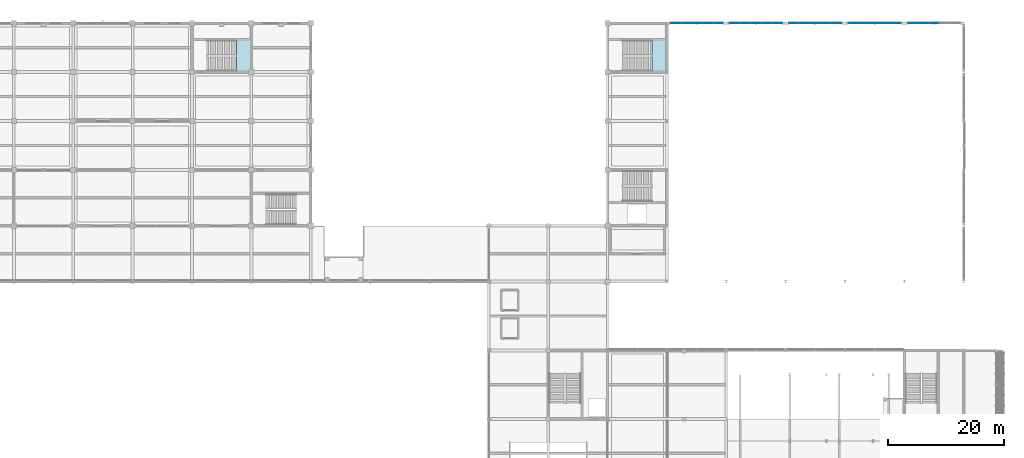
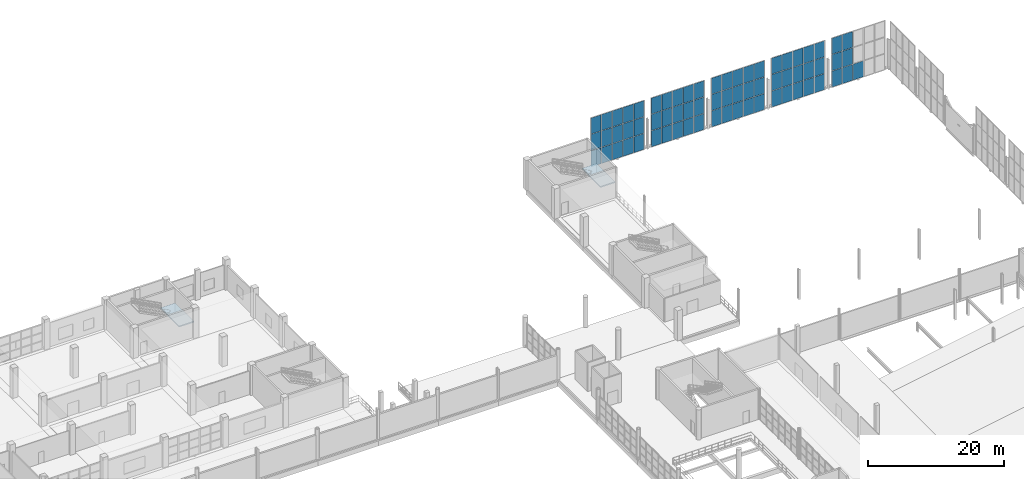
# One storey, part 122 of 175: 67 plates, 2 slabs, 7 elements without a shape of their own.
"""IFC4 building model written with IfcOpenShell, lengths in metres."""

from ifc_helpers import new_model, si_unit, direction, frame, origin, origin_2d, place, context, subcontext, project, spatial, polyline, rectangle, outline, extrude, material, layer, layer_set, type_object, element, aggregate, save


model = new_model("IFC4")

# Units and contexts
model_context = context("Model", 3, precision=1e-05, world=origin(), true_north=direction((0.0, 1.0)))
body_context = subcontext(model_context, "Body", "Model", "MODEL_VIEW")
ifc_project = project(units=[si_unit("LENGTHUNIT", "METRE"), si_unit("AREAUNIT", "SQUARE_METRE"), si_unit("VOLUMEUNIT", "CUBIC_METRE"), si_unit("PLANEANGLEUNIT", "RADIAN"), si_unit("MASSUNIT", "GRAM", prefix="KILO")], contexts=[model_context])

# Site, building, storey
site_placement = place(None, origin())
site = spatial("IfcSite", under=ifc_project, at=site_placement, CompositionType="ELEMENT")
building_placement = place(site_placement, origin())
building = spatial("IfcBuilding", under=site, at=building_placement, Name="Brelvane Convention Centre", CompositionType="ELEMENT")
storey_placement = place(building_placement, frame((0.0, 0.0, 5.39990234375)))
storey = spatial("IfcBuildingStorey", under=building, at=storey_placement, Name="L01", CompositionType="ELEMENT", Elevation=5.39990234375)

# Curtain wall, plates
ifc_material_1 = material(Name="Anodised Aluminium Alloy 6063-T6", Category="aluminium")
curtain_wall_type = type_object("IfcCurtainWallType", Name="Curtain Wall CW-BALL", PredefinedType="USERDEFINED", material=ifc_material_1)
curtain_wall_1_placement = place(storey_placement, origin())
curtain_wall_1 = element("IfcCurtainWall", 1, at=curtain_wall_1_placement, inside=storey, type_object=curtain_wall_type, Name="Curtain Wall CW-BALL L01-V3N-CW-L01-1", ObjectType="UNITISED", PredefinedType="USERDEFINED")
ifc_material_2 = material(Name="Double Glazed Low-E Laminated Unit")
ifc_layer_1 = layer(ifc_material_2, 0.0439453125)
ifc_layer_set_1 = layer_set([ifc_layer_1], Name="Double Glazed Low-E Laminated Unit")
plate_type = type_object("IfcPlateType", Name="Curtain Panel CW-PG3", PredefinedType="CURTAIN_PANEL", material=ifc_layer_set_1)
plate_1_placement = place(storey_placement, frame((174.878662109375, 144.0, 0.070068359375), z_axis=(0.0, 0.0, 1.0), x_axis=(1.0, 0.0, 0.0)))
plate_1 = element("IfcPlate", 2, at=plate_1_placement, type_object=plate_type, Name="CW-BALL panel 1.1", PredefinedType="CURTAIN_PANEL", context=body_context, shape_type="SweptSolid", body=[
    extrude(rectangle(XDim=1.70751953125, YDim=0.0439453125, at=origin_2d()), origin(), (0.0, 0.0, 1.0), 2.86181640625),
])
plate_2_placement = place(storey_placement, frame((174.878662109375, 144.0, 3.001953125), z_axis=(0.0, 0.0, 1.0), x_axis=(1.0, 0.0, 0.0)))
plate_2 = element("IfcPlate", 3, at=plate_2_placement, type_object=plate_type, Name="CW-BALL panel 1.2", PredefinedType="CURTAIN_PANEL", context=body_context, shape_type="SweptSolid", body=[
    extrude(rectangle(XDim=1.70751953125, YDim=0.0439453125, at=origin_2d()), origin(), (0.0, 0.0, 1.0), 2.896484375),
])
plate_3_placement = place(storey_placement, frame((174.878662109375, 144.0, 5.96826171875), z_axis=(0.0, 0.0, 1.0), x_axis=(1.0, 0.0, 0.0)))
plate_3 = element("IfcPlate", 4, at=plate_3_placement, type_object=plate_type, Name="CW-BALL panel 1.3", PredefinedType="CURTAIN_PANEL", context=body_context, shape_type="SweptSolid", body=[
    extrude(rectangle(XDim=1.70751953125, YDim=0.0439453125, at=origin_2d()), origin(), (0.0, 0.0, 1.0), 2.86181640625),
])
plate_4_placement = place(storey_placement, frame((176.679931640625, 144.0, 0.070068359375), z_axis=(0.0, 0.0, 1.0), x_axis=(1.0, 0.0, 0.0)))
plate_4 = element("IfcPlate", 5, at=plate_4_placement, type_object=plate_type, Name="CW-BALL panel 2.1", PredefinedType="CURTAIN_PANEL", context=body_context, shape_type="SweptSolid", body=[
    extrude(rectangle(XDim=1.7451171875, YDim=0.0439453125, at=origin_2d()), origin(), (0.0, 0.0, 1.0), 2.86181640625),
])
plate_5_placement = place(storey_placement, frame((176.679931640625, 144.0, 3.001953125), z_axis=(0.0, 0.0, 1.0), x_axis=(1.0, 0.0, 0.0)))
plate_5 = element("IfcPlate", 6, at=plate_5_placement, type_object=plate_type, Name="CW-BALL panel 2.2", PredefinedType="CURTAIN_PANEL", context=body_context, shape_type="SweptSolid", body=[
    extrude(rectangle(XDim=1.7451171875, YDim=0.0439453125, at=origin_2d()), origin(), (0.0, 0.0, 1.0), 2.896484375),
])
plate_6_placement = place(storey_placement, frame((176.679931640625, 144.0, 5.96826171875), z_axis=(0.0, 0.0, 1.0), x_axis=(1.0, 0.0, 0.0)))
plate_6 = element("IfcPlate", 7, at=plate_6_placement, type_object=plate_type, Name="CW-BALL panel 2.3", PredefinedType="CURTAIN_PANEL", context=body_context, shape_type="SweptSolid", body=[
    extrude(rectangle(XDim=1.7451171875, YDim=0.0439453125, at=origin_2d()), origin(), (0.0, 0.0, 1.0), 2.86181640625),
])
plate_7_placement = place(storey_placement, frame((178.5, 144.0, 0.070068359375), z_axis=(0.0, 0.0, 1.0), x_axis=(1.0, 0.0, 0.0)))
plate_7 = element("IfcPlate", 8, at=plate_7_placement, type_object=plate_type, Name="CW-BALL panel 3.1", PredefinedType="CURTAIN_PANEL", context=body_context, shape_type="SweptSolid", body=[
    extrude(rectangle(XDim=1.7451171875, YDim=0.0439453125, at=origin_2d()), origin(), (0.0, 0.0, 1.0), 2.86181640625),
])
plate_8_placement = place(storey_placement, frame((178.5, 144.0, 3.001953125), z_axis=(0.0, 0.0, 1.0), x_axis=(1.0, 0.0, 0.0)))
plate_8 = element("IfcPlate", 9, at=plate_8_placement, type_object=plate_type, Name="CW-BALL panel 3.2", PredefinedType="CURTAIN_PANEL", context=body_context, shape_type="SweptSolid", body=[
    extrude(rectangle(XDim=1.7451171875, YDim=0.0439453125, at=origin_2d()), origin(), (0.0, 0.0, 1.0), 2.896484375),
])
plate_9_placement = place(storey_placement, frame((178.5, 144.0, 5.96826171875), z_axis=(0.0, 0.0, 1.0), x_axis=(1.0, 0.0, 0.0)))
plate_9 = element("IfcPlate", 10, at=plate_9_placement, type_object=plate_type, Name="CW-BALL panel 3.3", PredefinedType="CURTAIN_PANEL", context=body_context, shape_type="SweptSolid", body=[
    extrude(rectangle(XDim=1.7451171875, YDim=0.0439453125, at=origin_2d()), origin(), (0.0, 0.0, 1.0), 2.86181640625),
])
plate_10_placement = place(storey_placement, frame((180.320068359375, 144.0, 0.070068359375), z_axis=(0.0, 0.0, 1.0), x_axis=(1.0, 0.0, 0.0)))
plate_10 = element("IfcPlate", 11, at=plate_10_placement, type_object=plate_type, Name="CW-BALL panel 4.1", PredefinedType="CURTAIN_PANEL", context=body_context, shape_type="SweptSolid", body=[
    extrude(rectangle(XDim=1.7451171875, YDim=0.0439453125, at=origin_2d()), origin(), (0.0, 0.0, 1.0), 2.86181640625),
])
plate_11_placement = place(storey_placement, frame((180.320068359375, 144.0, 3.001953125), z_axis=(0.0, 0.0, 1.0), x_axis=(1.0, 0.0, 0.0)))
plate_11 = element("IfcPlate", 12, at=plate_11_placement, type_object=plate_type, Name="CW-BALL panel 4.2", PredefinedType="CURTAIN_PANEL", context=body_context, shape_type="SweptSolid", body=[
    extrude(rectangle(XDim=1.7451171875, YDim=0.0439453125, at=origin_2d()), origin(), (0.0, 0.0, 1.0), 2.896484375),
])
plate_12_placement = place(storey_placement, frame((180.320068359375, 144.0, 5.96826171875), z_axis=(0.0, 0.0, 1.0), x_axis=(1.0, 0.0, 0.0)))
plate_12 = element("IfcPlate", 13, at=plate_12_placement, type_object=plate_type, Name="CW-BALL panel 4.3", PredefinedType="CURTAIN_PANEL", context=body_context, shape_type="SweptSolid", body=[
    extrude(rectangle(XDim=1.7451171875, YDim=0.0439453125, at=origin_2d()), origin(), (0.0, 0.0, 1.0), 2.86181640625),
])
plate_13_placement = place(storey_placement, frame((182.121337890625, 144.0, 0.070068359375), z_axis=(0.0, 0.0, 1.0), x_axis=(1.0, 0.0, 0.0)))
plate_13 = element("IfcPlate", 14, at=plate_13_placement, type_object=plate_type, Name="CW-BALL panel 5.1", PredefinedType="CURTAIN_PANEL", context=body_context, shape_type="SweptSolid", body=[
    extrude(rectangle(XDim=1.70751953125, YDim=0.0439453125, at=origin_2d()), origin(), (0.0, 0.0, 1.0), 2.86181640625),
])
plate_14_placement = place(storey_placement, frame((182.121337890625, 144.0, 3.001953125), z_axis=(0.0, 0.0, 1.0), x_axis=(1.0, 0.0, 0.0)))
plate_14 = element("IfcPlate", 15, at=plate_14_placement, type_object=plate_type, Name="CW-BALL panel 5.2", PredefinedType="CURTAIN_PANEL", context=body_context, shape_type="SweptSolid", body=[
    extrude(rectangle(XDim=1.70751953125, YDim=0.0439453125, at=origin_2d()), origin(), (0.0, 0.0, 1.0), 2.896484375),
])
plate_15_placement = place(storey_placement, frame((182.121337890625, 144.0, 5.96826171875), z_axis=(0.0, 0.0, 1.0), x_axis=(1.0, 0.0, 0.0)))
plate_15 = element("IfcPlate", 16, at=plate_15_placement, type_object=plate_type, Name="CW-BALL panel 5.3", PredefinedType="CURTAIN_PANEL", context=body_context, shape_type="SweptSolid", body=[
    extrude(rectangle(XDim=1.70751953125, YDim=0.0439453125, at=origin_2d()), origin(), (0.0, 0.0, 1.0), 2.86181640625),
])
aggregate(curtain_wall_1, [plate_1, plate_2, plate_3, plate_4, plate_5, plate_6, plate_7, plate_8, plate_9, plate_10, plate_11, plate_12, plate_13, plate_14, plate_15])

curtain_wall_2_placement = place(storey_placement, origin())
curtain_wall_2 = element("IfcCurtainWall", 17, at=curtain_wall_2_placement, inside=storey, type_object=curtain_wall_type, Name="Curtain Wall CW-BALL L01-V3N-CW-L01-2", ObjectType="UNITISED", PredefinedType="USERDEFINED")
plate_16_placement = place(storey_placement, frame((185.078857421875, 144.0, 0.070068359375), z_axis=(0.0, 0.0, 1.0), x_axis=(1.0, 0.0, 0.0)))
plate_16 = element("IfcPlate", 18, at=plate_16_placement, type_object=plate_type, Name="CW-BALL panel 1.1", PredefinedType="CURTAIN_PANEL", context=body_context, shape_type="SweptSolid", body=[
    extrude(rectangle(XDim=1.70751953125, YDim=0.0439453125, at=origin_2d()), origin(), (0.0, 0.0, 1.0), 2.86181640625),
])
plate_17_placement = place(storey_placement, frame((185.078857421875, 144.0, 3.001953125), z_axis=(0.0, 0.0, 1.0), x_axis=(1.0, 0.0, 0.0)))
plate_17 = element("IfcPlate", 19, at=plate_17_placement, type_object=plate_type, Name="CW-BALL panel 1.2", PredefinedType="CURTAIN_PANEL", context=body_context, shape_type="SweptSolid", body=[
    extrude(rectangle(XDim=1.70751953125, YDim=0.0439453125, at=origin_2d()), origin(), (0.0, 0.0, 1.0), 2.896484375),
])
plate_18_placement = place(storey_placement, frame((185.078857421875, 144.0, 5.96826171875), z_axis=(0.0, 0.0, 1.0), x_axis=(1.0, 0.0, 0.0)))
plate_18 = element("IfcPlate", 20, at=plate_18_placement, type_object=plate_type, Name="CW-BALL panel 1.3", PredefinedType="CURTAIN_PANEL", context=body_context, shape_type="SweptSolid", body=[
    extrude(rectangle(XDim=1.70751953125, YDim=0.0439453125, at=origin_2d()), origin(), (0.0, 0.0, 1.0), 2.86181640625),
])
plate_19_placement = place(storey_placement, frame((186.8798828125, 144.0, 0.070068359375), z_axis=(0.0, 0.0, 1.0), x_axis=(1.0, 0.0, 0.0)))
plate_19 = element("IfcPlate", 21, at=plate_19_placement, type_object=plate_type, Name="CW-BALL panel 2.1", PredefinedType="CURTAIN_PANEL", context=body_context, shape_type="SweptSolid", body=[
    extrude(rectangle(XDim=1.7451171875, YDim=0.0439453125, at=origin_2d()), origin(), (0.0, 0.0, 1.0), 2.86181640625),
])
plate_20_placement = place(storey_placement, frame((186.8798828125, 144.0, 3.001953125), z_axis=(0.0, 0.0, 1.0), x_axis=(1.0, 0.0, 0.0)))
plate_20 = element("IfcPlate", 22, at=plate_20_placement, type_object=plate_type, Name="CW-BALL panel 2.2", PredefinedType="CURTAIN_PANEL", context=body_context, shape_type="SweptSolid", body=[
    extrude(rectangle(XDim=1.7451171875, YDim=0.0439453125, at=origin_2d()), origin(), (0.0, 0.0, 1.0), 2.896484375),
])
plate_21_placement = place(storey_placement, frame((186.8798828125, 144.0, 5.96826171875), z_axis=(0.0, 0.0, 1.0), x_axis=(1.0, 0.0, 0.0)))
plate_21 = element("IfcPlate", 23, at=plate_21_placement, type_object=plate_type, Name="CW-BALL panel 2.3", PredefinedType="CURTAIN_PANEL", context=body_context, shape_type="SweptSolid", body=[
    extrude(rectangle(XDim=1.7451171875, YDim=0.0439453125, at=origin_2d()), origin(), (0.0, 0.0, 1.0), 2.86181640625),
])
plate_22_placement = place(storey_placement, frame((188.699951171875, 144.0, 0.070068359375), z_axis=(0.0, 0.0, 1.0), x_axis=(1.0, 0.0, 0.0)))
plate_22 = element("IfcPlate", 24, at=plate_22_placement, type_object=plate_type, Name="CW-BALL panel 3.1", PredefinedType="CURTAIN_PANEL", context=body_context, shape_type="SweptSolid", body=[
    extrude(rectangle(XDim=1.7451171875, YDim=0.0439453125, at=origin_2d()), origin(), (0.0, 0.0, 1.0), 2.86181640625),
])
plate_23_placement = place(storey_placement, frame((188.699951171875, 144.0, 3.001953125), z_axis=(0.0, 0.0, 1.0), x_axis=(1.0, 0.0, 0.0)))
plate_23 = element("IfcPlate", 25, at=plate_23_placement, type_object=plate_type, Name="CW-BALL panel 3.2", PredefinedType="CURTAIN_PANEL", context=body_context, shape_type="SweptSolid", body=[
    extrude(rectangle(XDim=1.7451171875, YDim=0.0439453125, at=origin_2d()), origin(), (0.0, 0.0, 1.0), 2.896484375),
])
plate_24_placement = place(storey_placement, frame((188.699951171875, 144.0, 5.96826171875), z_axis=(0.0, 0.0, 1.0), x_axis=(1.0, 0.0, 0.0)))
plate_24 = element("IfcPlate", 26, at=plate_24_placement, type_object=plate_type, Name="CW-BALL panel 3.3", PredefinedType="CURTAIN_PANEL", context=body_context, shape_type="SweptSolid", body=[
    extrude(rectangle(XDim=1.7451171875, YDim=0.0439453125, at=origin_2d()), origin(), (0.0, 0.0, 1.0), 2.86181640625),
])
plate_25_placement = place(storey_placement, frame((190.52001953125, 144.0, 0.070068359375), z_axis=(0.0, 0.0, 1.0), x_axis=(1.0, 0.0, 0.0)))
plate_25 = element("IfcPlate", 27, at=plate_25_placement, type_object=plate_type, Name="CW-BALL panel 4.1", PredefinedType="CURTAIN_PANEL", context=body_context, shape_type="SweptSolid", body=[
    extrude(rectangle(XDim=1.7451171875, YDim=0.0439453125, at=origin_2d()), origin(), (0.0, 0.0, 1.0), 2.86181640625),
])
plate_26_placement = place(storey_placement, frame((190.52001953125, 144.0, 3.001953125), z_axis=(0.0, 0.0, 1.0), x_axis=(1.0, 0.0, 0.0)))
plate_26 = element("IfcPlate", 28, at=plate_26_placement, type_object=plate_type, Name="CW-BALL panel 4.2", PredefinedType="CURTAIN_PANEL", context=body_context, shape_type="SweptSolid", body=[
    extrude(rectangle(XDim=1.7451171875, YDim=0.0439453125, at=origin_2d()), origin(), (0.0, 0.0, 1.0), 2.896484375),
])
plate_27_placement = place(storey_placement, frame((190.52001953125, 144.0, 5.96826171875), z_axis=(0.0, 0.0, 1.0), x_axis=(1.0, 0.0, 0.0)))
plate_27 = element("IfcPlate", 29, at=plate_27_placement, type_object=plate_type, Name="CW-BALL panel 4.3", PredefinedType="CURTAIN_PANEL", context=body_context, shape_type="SweptSolid", body=[
    extrude(rectangle(XDim=1.7451171875, YDim=0.0439453125, at=origin_2d()), origin(), (0.0, 0.0, 1.0), 2.86181640625),
])
plate_28_placement = place(storey_placement, frame((192.3212890625, 144.0, 0.070068359375), z_axis=(0.0, 0.0, 1.0), x_axis=(1.0, 0.0, 0.0)))
plate_28 = element("IfcPlate", 30, at=plate_28_placement, type_object=plate_type, Name="CW-BALL panel 5.1", PredefinedType="CURTAIN_PANEL", context=body_context, shape_type="SweptSolid", body=[
    extrude(rectangle(XDim=1.70751953125, YDim=0.0439453125, at=origin_2d()), origin(), (0.0, 0.0, 1.0), 2.86181640625),
])
plate_29_placement = place(storey_placement, frame((192.3212890625, 144.0, 3.001953125), z_axis=(0.0, 0.0, 1.0), x_axis=(1.0, 0.0, 0.0)))
plate_29 = element("IfcPlate", 31, at=plate_29_placement, type_object=plate_type, Name="CW-BALL panel 5.2", PredefinedType="CURTAIN_PANEL", context=body_context, shape_type="SweptSolid", body=[
    extrude(rectangle(XDim=1.70751953125, YDim=0.0439453125, at=origin_2d()), origin(), (0.0, 0.0, 1.0), 2.896484375),
])
plate_30_placement = place(storey_placement, frame((192.3212890625, 144.0, 5.96826171875), z_axis=(0.0, 0.0, 1.0), x_axis=(1.0, 0.0, 0.0)))
plate_30 = element("IfcPlate", 32, at=plate_30_placement, type_object=plate_type, Name="CW-BALL panel 5.3", PredefinedType="CURTAIN_PANEL", context=body_context, shape_type="SweptSolid", body=[
    extrude(rectangle(XDim=1.70751953125, YDim=0.0439453125, at=origin_2d()), origin(), (0.0, 0.0, 1.0), 2.86181640625),
])
aggregate(curtain_wall_2, [plate_16, plate_17, plate_18, plate_19, plate_20, plate_21, plate_22, plate_23, plate_24, plate_25, plate_26, plate_27, plate_28, plate_29, plate_30])

curtain_wall_3_placement = place(storey_placement, origin())
curtain_wall_3 = element("IfcCurtainWall", 33, at=curtain_wall_3_placement, inside=storey, type_object=curtain_wall_type, Name="Curtain Wall CW-BALL L01-V3N-CW-L01-3", ObjectType="UNITISED", PredefinedType="USERDEFINED")
plate_31_placement = place(storey_placement, frame((195.27880859375, 144.0, 0.070068359375), z_axis=(0.0, 0.0, 1.0), x_axis=(1.0, 0.0, 0.0)))
plate_31 = element("IfcPlate", 34, at=plate_31_placement, type_object=plate_type, Name="CW-BALL panel 1.1", PredefinedType="CURTAIN_PANEL", context=body_context, shape_type="SweptSolid", body=[
    extrude(rectangle(XDim=1.70751953125, YDim=0.0439453125, at=origin_2d()), origin(), (0.0, 0.0, 1.0), 2.86181640625),
])
plate_32_placement = place(storey_placement, frame((195.27880859375, 144.0, 3.001953125), z_axis=(0.0, 0.0, 1.0), x_axis=(1.0, 0.0, 0.0)))
plate_32 = element("IfcPlate", 35, at=plate_32_placement, type_object=plate_type, Name="CW-BALL panel 1.2", PredefinedType="CURTAIN_PANEL", context=body_context, shape_type="SweptSolid", body=[
    extrude(rectangle(XDim=1.70751953125, YDim=0.0439453125, at=origin_2d()), origin(), (0.0, 0.0, 1.0), 2.896484375),
])
plate_33_placement = place(storey_placement, frame((195.27880859375, 144.0, 5.96826171875), z_axis=(0.0, 0.0, 1.0), x_axis=(1.0, 0.0, 0.0)))
plate_33 = element("IfcPlate", 36, at=plate_33_placement, type_object=plate_type, Name="CW-BALL panel 1.3", PredefinedType="CURTAIN_PANEL", context=body_context, shape_type="SweptSolid", body=[
    extrude(rectangle(XDim=1.70751953125, YDim=0.0439453125, at=origin_2d()), origin(), (0.0, 0.0, 1.0), 2.86181640625),
])
plate_34_placement = place(storey_placement, frame((197.080078125, 144.0, 0.070068359375), z_axis=(0.0, 0.0, 1.0), x_axis=(1.0, 0.0, 0.0)))
plate_34 = element("IfcPlate", 37, at=plate_34_placement, type_object=plate_type, Name="CW-BALL panel 2.1", PredefinedType="CURTAIN_PANEL", context=body_context, shape_type="SweptSolid", body=[
    extrude(rectangle(XDim=1.7451171875, YDim=0.0439453125, at=origin_2d()), origin(), (0.0, 0.0, 1.0), 2.86181640625),
])
plate_35_placement = place(storey_placement, frame((197.080078125, 144.0, 3.001953125), z_axis=(0.0, 0.0, 1.0), x_axis=(1.0, 0.0, 0.0)))
plate_35 = element("IfcPlate", 38, at=plate_35_placement, type_object=plate_type, Name="CW-BALL panel 2.2", PredefinedType="CURTAIN_PANEL", context=body_context, shape_type="SweptSolid", body=[
    extrude(rectangle(XDim=1.7451171875, YDim=0.0439453125, at=origin_2d()), origin(), (0.0, 0.0, 1.0), 2.896484375),
])
plate_36_placement = place(storey_placement, frame((197.080078125, 144.0, 5.96826171875), z_axis=(0.0, 0.0, 1.0), x_axis=(1.0, 0.0, 0.0)))
plate_36 = element("IfcPlate", 39, at=plate_36_placement, type_object=plate_type, Name="CW-BALL panel 2.3", PredefinedType="CURTAIN_PANEL", context=body_context, shape_type="SweptSolid", body=[
    extrude(rectangle(XDim=1.7451171875, YDim=0.0439453125, at=origin_2d()), origin(), (0.0, 0.0, 1.0), 2.86181640625),
])
plate_37_placement = place(storey_placement, frame((198.89990234375, 144.0, 0.070068359375), z_axis=(0.0, 0.0, 1.0), x_axis=(1.0, 0.0, 0.0)))
plate_37 = element("IfcPlate", 40, at=plate_37_placement, type_object=plate_type, Name="CW-BALL panel 3.1", PredefinedType="CURTAIN_PANEL", context=body_context, shape_type="SweptSolid", body=[
    extrude(rectangle(XDim=1.7451171875, YDim=0.0439453125, at=origin_2d()), origin(), (0.0, 0.0, 1.0), 2.86181640625),
])
plate_38_placement = place(storey_placement, frame((198.89990234375, 144.0, 3.001953125), z_axis=(0.0, 0.0, 1.0), x_axis=(1.0, 0.0, 0.0)))
plate_38 = element("IfcPlate", 41, at=plate_38_placement, type_object=plate_type, Name="CW-BALL panel 3.2", PredefinedType="CURTAIN_PANEL", context=body_context, shape_type="SweptSolid", body=[
    extrude(rectangle(XDim=1.7451171875, YDim=0.0439453125, at=origin_2d()), origin(), (0.0, 0.0, 1.0), 2.896484375),
])
plate_39_placement = place(storey_placement, frame((198.89990234375, 144.0, 5.96826171875), z_axis=(0.0, 0.0, 1.0), x_axis=(1.0, 0.0, 0.0)))
plate_39 = element("IfcPlate", 42, at=plate_39_placement, type_object=plate_type, Name="CW-BALL panel 3.3", PredefinedType="CURTAIN_PANEL", context=body_context, shape_type="SweptSolid", body=[
    extrude(rectangle(XDim=1.7451171875, YDim=0.0439453125, at=origin_2d()), origin(), (0.0, 0.0, 1.0), 2.86181640625),
])
plate_40_placement = place(storey_placement, frame((200.719970703125, 144.0, 0.070068359375), z_axis=(0.0, 0.0, 1.0), x_axis=(1.0, 0.0, 0.0)))
plate_40 = element("IfcPlate", 43, at=plate_40_placement, type_object=plate_type, Name="CW-BALL panel 4.1", PredefinedType="CURTAIN_PANEL", context=body_context, shape_type="SweptSolid", body=[
    extrude(rectangle(XDim=1.7451171875, YDim=0.0439453125, at=origin_2d()), origin(), (0.0, 0.0, 1.0), 2.86181640625),
])
plate_41_placement = place(storey_placement, frame((200.719970703125, 144.0, 3.001953125), z_axis=(0.0, 0.0, 1.0), x_axis=(1.0, 0.0, 0.0)))
plate_41 = element("IfcPlate", 44, at=plate_41_placement, type_object=plate_type, Name="CW-BALL panel 4.2", PredefinedType="CURTAIN_PANEL", context=body_context, shape_type="SweptSolid", body=[
    extrude(rectangle(XDim=1.7451171875, YDim=0.0439453125, at=origin_2d()), origin(), (0.0, 0.0, 1.0), 2.896484375),
])
plate_42_placement = place(storey_placement, frame((200.719970703125, 144.0, 5.96826171875), z_axis=(0.0, 0.0, 1.0), x_axis=(1.0, 0.0, 0.0)))
plate_42 = element("IfcPlate", 45, at=plate_42_placement, type_object=plate_type, Name="CW-BALL panel 4.3", PredefinedType="CURTAIN_PANEL", context=body_context, shape_type="SweptSolid", body=[
    extrude(rectangle(XDim=1.7451171875, YDim=0.0439453125, at=origin_2d()), origin(), (0.0, 0.0, 1.0), 2.86181640625),
])
plate_43_placement = place(storey_placement, frame((202.521240234375, 144.0, 0.070068359375), z_axis=(0.0, 0.0, 1.0), x_axis=(1.0, 0.0, 0.0)))
plate_43 = element("IfcPlate", 46, at=plate_43_placement, type_object=plate_type, Name="CW-BALL panel 5.1", PredefinedType="CURTAIN_PANEL", context=body_context, shape_type="SweptSolid", body=[
    extrude(rectangle(XDim=1.70751953125, YDim=0.0439453125, at=origin_2d()), origin(), (0.0, 0.0, 1.0), 2.86181640625),
])
plate_44_placement = place(storey_placement, frame((202.521240234375, 144.0, 3.001953125), z_axis=(0.0, 0.0, 1.0), x_axis=(1.0, 0.0, 0.0)))
plate_44 = element("IfcPlate", 47, at=plate_44_placement, type_object=plate_type, Name="CW-BALL panel 5.2", PredefinedType="CURTAIN_PANEL", context=body_context, shape_type="SweptSolid", body=[
    extrude(rectangle(XDim=1.70751953125, YDim=0.0439453125, at=origin_2d()), origin(), (0.0, 0.0, 1.0), 2.896484375),
])
plate_45_placement = place(storey_placement, frame((202.521240234375, 144.0, 5.96826171875), z_axis=(0.0, 0.0, 1.0), x_axis=(1.0, 0.0, 0.0)))
plate_45 = element("IfcPlate", 48, at=plate_45_placement, type_object=plate_type, Name="CW-BALL panel 5.3", PredefinedType="CURTAIN_PANEL", context=body_context, shape_type="SweptSolid", body=[
    extrude(rectangle(XDim=1.70751953125, YDim=0.0439453125, at=origin_2d()), origin(), (0.0, 0.0, 1.0), 2.86181640625),
])
aggregate(curtain_wall_3, [plate_31, plate_32, plate_33, plate_34, plate_35, plate_36, plate_37, plate_38, plate_39, plate_40, plate_41, plate_42, plate_43, plate_44, plate_45])

curtain_wall_4_placement = place(storey_placement, origin())
curtain_wall_4 = element("IfcCurtainWall", 49, at=curtain_wall_4_placement, inside=storey, type_object=curtain_wall_type, Name="Curtain Wall CW-BALL L01-V3N-CW-L01-4", ObjectType="UNITISED", PredefinedType="USERDEFINED")
plate_46_placement = place(storey_placement, frame((205.478759765625, 144.0, 0.070068359375), z_axis=(0.0, 0.0, 1.0), x_axis=(1.0, 0.0, 0.0)))
plate_46 = element("IfcPlate", 50, at=plate_46_placement, type_object=plate_type, Name="CW-BALL panel 1.1", PredefinedType="CURTAIN_PANEL", context=body_context, shape_type="SweptSolid", body=[
    extrude(rectangle(XDim=1.70751953125, YDim=0.0439453125, at=origin_2d()), origin(), (0.0, 0.0, 1.0), 2.86181640625),
])
plate_47_placement = place(storey_placement, frame((205.478759765625, 144.0, 3.001953125), z_axis=(0.0, 0.0, 1.0), x_axis=(1.0, 0.0, 0.0)))
plate_47 = element("IfcPlate", 51, at=plate_47_placement, type_object=plate_type, Name="CW-BALL panel 1.2", PredefinedType="CURTAIN_PANEL", context=body_context, shape_type="SweptSolid", body=[
    extrude(rectangle(XDim=1.70751953125, YDim=0.0439453125, at=origin_2d()), origin(), (0.0, 0.0, 1.0), 2.896484375),
])
plate_48_placement = place(storey_placement, frame((205.478759765625, 144.0, 5.96826171875), z_axis=(0.0, 0.0, 1.0), x_axis=(1.0, 0.0, 0.0)))
plate_48 = element("IfcPlate", 52, at=plate_48_placement, type_object=plate_type, Name="CW-BALL panel 1.3", PredefinedType="CURTAIN_PANEL", context=body_context, shape_type="SweptSolid", body=[
    extrude(rectangle(XDim=1.70751953125, YDim=0.0439453125, at=origin_2d()), origin(), (0.0, 0.0, 1.0), 2.86181640625),
])
plate_49_placement = place(storey_placement, frame((207.280029296875, 144.0, 0.070068359375), z_axis=(0.0, 0.0, 1.0), x_axis=(1.0, 0.0, 0.0)))
plate_49 = element("IfcPlate", 53, at=plate_49_placement, type_object=plate_type, Name="CW-BALL panel 2.1", PredefinedType="CURTAIN_PANEL", context=body_context, shape_type="SweptSolid", body=[
    extrude(rectangle(XDim=1.7451171875, YDim=0.0439453125, at=origin_2d()), origin(), (0.0, 0.0, 1.0), 2.86181640625),
])
plate_50_placement = place(storey_placement, frame((207.280029296875, 144.0, 3.001953125), z_axis=(0.0, 0.0, 1.0), x_axis=(1.0, 0.0, 0.0)))
plate_50 = element("IfcPlate", 54, at=plate_50_placement, type_object=plate_type, Name="CW-BALL panel 2.2", PredefinedType="CURTAIN_PANEL", context=body_context, shape_type="SweptSolid", body=[
    extrude(rectangle(XDim=1.7451171875, YDim=0.0439453125, at=origin_2d()), origin(), (0.0, 0.0, 1.0), 2.896484375),
])
plate_51_placement = place(storey_placement, frame((207.280029296875, 144.0, 5.96826171875), z_axis=(0.0, 0.0, 1.0), x_axis=(1.0, 0.0, 0.0)))
plate_51 = element("IfcPlate", 55, at=plate_51_placement, type_object=plate_type, Name="CW-BALL panel 2.3", PredefinedType="CURTAIN_PANEL", context=body_context, shape_type="SweptSolid", body=[
    extrude(rectangle(XDim=1.7451171875, YDim=0.0439453125, at=origin_2d()), origin(), (0.0, 0.0, 1.0), 2.86181640625),
])
plate_52_placement = place(storey_placement, frame((209.10009765625, 144.0, 0.070068359375), z_axis=(0.0, 0.0, 1.0), x_axis=(1.0, 0.0, 0.0)))
plate_52 = element("IfcPlate", 56, at=plate_52_placement, type_object=plate_type, Name="CW-BALL panel 3.1", PredefinedType="CURTAIN_PANEL", context=body_context, shape_type="SweptSolid", body=[
    extrude(rectangle(XDim=1.7451171875, YDim=0.0439453125, at=origin_2d()), origin(), (0.0, 0.0, 1.0), 2.86181640625),
])
plate_53_placement = place(storey_placement, frame((209.10009765625, 144.0, 3.001953125), z_axis=(0.0, 0.0, 1.0), x_axis=(1.0, 0.0, 0.0)))
plate_53 = element("IfcPlate", 57, at=plate_53_placement, type_object=plate_type, Name="CW-BALL panel 3.2", PredefinedType="CURTAIN_PANEL", context=body_context, shape_type="SweptSolid", body=[
    extrude(rectangle(XDim=1.7451171875, YDim=0.0439453125, at=origin_2d()), origin(), (0.0, 0.0, 1.0), 2.896484375),
])
plate_54_placement = place(storey_placement, frame((209.10009765625, 144.0, 5.96826171875), z_axis=(0.0, 0.0, 1.0), x_axis=(1.0, 0.0, 0.0)))
plate_54 = element("IfcPlate", 58, at=plate_54_placement, type_object=plate_type, Name="CW-BALL panel 3.3", PredefinedType="CURTAIN_PANEL", context=body_context, shape_type="SweptSolid", body=[
    extrude(rectangle(XDim=1.7451171875, YDim=0.0439453125, at=origin_2d()), origin(), (0.0, 0.0, 1.0), 2.86181640625),
])
plate_55_placement = place(storey_placement, frame((210.919921875, 144.0, 0.070068359375), z_axis=(0.0, 0.0, 1.0), x_axis=(1.0, 0.0, 0.0)))
plate_55 = element("IfcPlate", 59, at=plate_55_placement, type_object=plate_type, Name="CW-BALL panel 4.1", PredefinedType="CURTAIN_PANEL", context=body_context, shape_type="SweptSolid", body=[
    extrude(rectangle(XDim=1.7451171875, YDim=0.0439453125, at=origin_2d()), origin(), (0.0, 0.0, 1.0), 2.86181640625),
])
plate_56_placement = place(storey_placement, frame((210.919921875, 144.0, 3.001953125), z_axis=(0.0, 0.0, 1.0), x_axis=(1.0, 0.0, 0.0)))
plate_56 = element("IfcPlate", 60, at=plate_56_placement, type_object=plate_type, Name="CW-BALL panel 4.2", PredefinedType="CURTAIN_PANEL", context=body_context, shape_type="SweptSolid", body=[
    extrude(rectangle(XDim=1.7451171875, YDim=0.0439453125, at=origin_2d()), origin(), (0.0, 0.0, 1.0), 2.896484375),
])
plate_57_placement = place(storey_placement, frame((210.919921875, 144.0, 5.96826171875), z_axis=(0.0, 0.0, 1.0), x_axis=(1.0, 0.0, 0.0)))
plate_57 = element("IfcPlate", 61, at=plate_57_placement, type_object=plate_type, Name="CW-BALL panel 4.3", PredefinedType="CURTAIN_PANEL", context=body_context, shape_type="SweptSolid", body=[
    extrude(rectangle(XDim=1.7451171875, YDim=0.0439453125, at=origin_2d()), origin(), (0.0, 0.0, 1.0), 2.86181640625),
])
plate_58_placement = place(storey_placement, frame((212.72119140625, 144.0, 0.070068359375), z_axis=(0.0, 0.0, 1.0), x_axis=(1.0, 0.0, 0.0)))
plate_58 = element("IfcPlate", 62, at=plate_58_placement, type_object=plate_type, Name="CW-BALL panel 5.1", PredefinedType="CURTAIN_PANEL", context=body_context, shape_type="SweptSolid", body=[
    extrude(rectangle(XDim=1.70751953125, YDim=0.0439453125, at=origin_2d()), origin(), (0.0, 0.0, 1.0), 2.86181640625),
])
plate_59_placement = place(storey_placement, frame((212.72119140625, 144.0, 3.001953125), z_axis=(0.0, 0.0, 1.0), x_axis=(1.0, 0.0, 0.0)))
plate_59 = element("IfcPlate", 63, at=plate_59_placement, type_object=plate_type, Name="CW-BALL panel 5.2", PredefinedType="CURTAIN_PANEL", context=body_context, shape_type="SweptSolid", body=[
    extrude(rectangle(XDim=1.70751953125, YDim=0.0439453125, at=origin_2d()), origin(), (0.0, 0.0, 1.0), 2.896484375),
])
plate_60_placement = place(storey_placement, frame((212.72119140625, 144.0, 5.96826171875), z_axis=(0.0, 0.0, 1.0), x_axis=(1.0, 0.0, 0.0)))
plate_60 = element("IfcPlate", 64, at=plate_60_placement, type_object=plate_type, Name="CW-BALL panel 5.3", PredefinedType="CURTAIN_PANEL", context=body_context, shape_type="SweptSolid", body=[
    extrude(rectangle(XDim=1.70751953125, YDim=0.0439453125, at=origin_2d()), origin(), (0.0, 0.0, 1.0), 2.86181640625),
])
aggregate(curtain_wall_4, [plate_46, plate_47, plate_48, plate_49, plate_50, plate_51, plate_52, plate_53, plate_54, plate_55, plate_56, plate_57, plate_58, plate_59, plate_60])

curtain_wall_5_placement = place(storey_placement, origin())
curtain_wall_5 = element("IfcCurtainWall", 65, at=curtain_wall_5_placement, inside=storey, type_object=curtain_wall_type, Name="Curtain Wall CW-BALL L01-V3N-CW-L01-5", ObjectType="UNITISED", PredefinedType="USERDEFINED")
plate_61_placement = place(storey_placement, frame((215.6787109375, 144.0, 0.070068359375), z_axis=(0.0, 0.0, 1.0), x_axis=(1.0, 0.0, 0.0)))
plate_61 = element("IfcPlate", 66, at=plate_61_placement, type_object=plate_type, Name="CW-BALL panel 1.1", PredefinedType="CURTAIN_PANEL", context=body_context, shape_type="SweptSolid", body=[
    extrude(rectangle(XDim=1.70751953125, YDim=0.0439453125, at=origin_2d()), origin(), (0.0, 0.0, 1.0), 2.86181640625),
])
plate_62_placement = place(storey_placement, frame((215.6787109375, 144.0, 3.001953125), z_axis=(0.0, 0.0, 1.0), x_axis=(1.0, 0.0, 0.0)))
plate_62 = element("IfcPlate", 67, at=plate_62_placement, type_object=plate_type, Name="CW-BALL panel 1.2", PredefinedType="CURTAIN_PANEL", context=body_context, shape_type="SweptSolid", body=[
    extrude(rectangle(XDim=1.70751953125, YDim=0.0439453125, at=origin_2d()), origin(), (0.0, 0.0, 1.0), 2.896484375),
])
plate_63_placement = place(storey_placement, frame((215.6787109375, 144.0, 5.96826171875), z_axis=(0.0, 0.0, 1.0), x_axis=(1.0, 0.0, 0.0)))
plate_63 = element("IfcPlate", 68, at=plate_63_placement, type_object=plate_type, Name="CW-BALL panel 1.3", PredefinedType="CURTAIN_PANEL", context=body_context, shape_type="SweptSolid", body=[
    extrude(rectangle(XDim=1.70751953125, YDim=0.0439453125, at=origin_2d()), origin(), (0.0, 0.0, 1.0), 2.86181640625),
])
plate_64_placement = place(storey_placement, frame((217.47998046875, 144.0, 0.070068359375), z_axis=(0.0, 0.0, 1.0), x_axis=(1.0, 0.0, 0.0)))
plate_64 = element("IfcPlate", 69, at=plate_64_placement, type_object=plate_type, Name="CW-BALL panel 2.1", PredefinedType="CURTAIN_PANEL", context=body_context, shape_type="SweptSolid", body=[
    extrude(rectangle(XDim=1.7451171875, YDim=0.0439453125, at=origin_2d()), origin(), (0.0, 0.0, 1.0), 2.86181640625),
])
plate_65_placement = place(storey_placement, frame((217.47998046875, 144.0, 3.001953125), z_axis=(0.0, 0.0, 1.0), x_axis=(1.0, 0.0, 0.0)))
plate_65 = element("IfcPlate", 70, at=plate_65_placement, type_object=plate_type, Name="CW-BALL panel 2.2", PredefinedType="CURTAIN_PANEL", context=body_context, shape_type="SweptSolid", body=[
    extrude(rectangle(XDim=1.7451171875, YDim=0.0439453125, at=origin_2d()), origin(), (0.0, 0.0, 1.0), 2.896484375),
])
plate_66_placement = place(storey_placement, frame((217.47998046875, 144.0, 5.96826171875), z_axis=(0.0, 0.0, 1.0), x_axis=(1.0, 0.0, 0.0)))
plate_66 = element("IfcPlate", 71, at=plate_66_placement, type_object=plate_type, Name="CW-BALL panel 2.3", PredefinedType="CURTAIN_PANEL", context=body_context, shape_type="SweptSolid", body=[
    extrude(rectangle(XDim=1.7451171875, YDim=0.0439453125, at=origin_2d()), origin(), (0.0, 0.0, 1.0), 2.86181640625),
])
plate_67_placement = place(storey_placement, frame((219.300048828125, 144.0, 0.070068359375), z_axis=(0.0, 0.0, 1.0), x_axis=(1.0, 0.0, 0.0)))
plate_67 = element("IfcPlate", 72, at=plate_67_placement, type_object=plate_type, Name="CW-BALL panel 3.1", PredefinedType="CURTAIN_PANEL", context=body_context, shape_type="SweptSolid", body=[
    extrude(rectangle(XDim=1.7451171875, YDim=0.0439453125, at=origin_2d()), origin(), (0.0, 0.0, 1.0), 2.86181640625),
])
aggregate(curtain_wall_5, [plate_61, plate_62, plate_63, plate_64, plate_65, plate_66, plate_67])

# Stair, slab
ifc_material_3 = material(Name="Concrete M40", Category="concrete")
stair_type = type_object("IfcStairType", Name="Exit Stair ST-CORE", PredefinedType="HALF_TURN_STAIR", material=ifc_material_3)
stair_1_placement = place(storey_placement, origin())
stair_1 = element("IfcStair", 73, at=stair_1_placement, inside=storey, type_object=stair_type, Name="Exit Stair ST-11 (L01 to L02)", PredefinedType="HALF_TURN_STAIR")
ifc_material_4 = material(Name="Concrete M40", Category="concrete")
ifc_layer_2 = layer(ifc_material_4, 0.199951171875)
ifc_layer_set_2 = layer_set([ifc_layer_2], Name="Concrete M40")
slab_type = type_object("IfcSlabType", Name="Stair Landing SL-LND-200", PredefinedType="LANDING", material=ifc_layer_set_2)
slab_1_placement = place(storey_placement, frame((0.0, 0.0, 2.5)))
slab_1 = element("IfcSlab", 74, at=slab_1_placement, type_object=slab_type, Name="Stair ST-11 L01 Half Landing", PredefinedType="LANDING", context=body_context, shape_type="SweptSolid", body=[
    extrude(outline(polyline([(170.820068359375, 135.679931640625), (173.320068359375, 135.679931640625), (173.320068359375, 141.1201171875), (170.820068359375, 141.1201171875), (170.820068359375, 135.679931640625)])), origin(), (0.0, 0.0, 1.0), 0.2001953125),
])
aggregate(stair_1, [slab_1])

stair_2_placement = place(storey_placement, origin())
stair_2 = element("IfcStair", 75, at=stair_2_placement, inside=storey, type_object=stair_type, Name="Exit Stair ST-12 (L01 to L02)", PredefinedType="HALF_TURN_STAIR")
slab_2_placement = place(storey_placement, frame((0.0, 0.0, 2.5)))
slab_2 = element("IfcSlab", 76, at=slab_2_placement, type_object=slab_type, Name="Stair ST-12 L01 Half Landing", PredefinedType="LANDING", context=body_context, shape_type="SweptSolid", body=[
    extrude(outline(polyline([(99.419921875, 135.679931640625), (101.919921875, 135.679931640625), (101.919921875, 141.1201171875), (99.419921875, 141.1201171875), (99.419921875, 135.679931640625)])), origin(), (0.0, 0.0, 1.0), 0.2001953125),
])
aggregate(stair_2, [slab_2])

save(model, "model.ifc")
